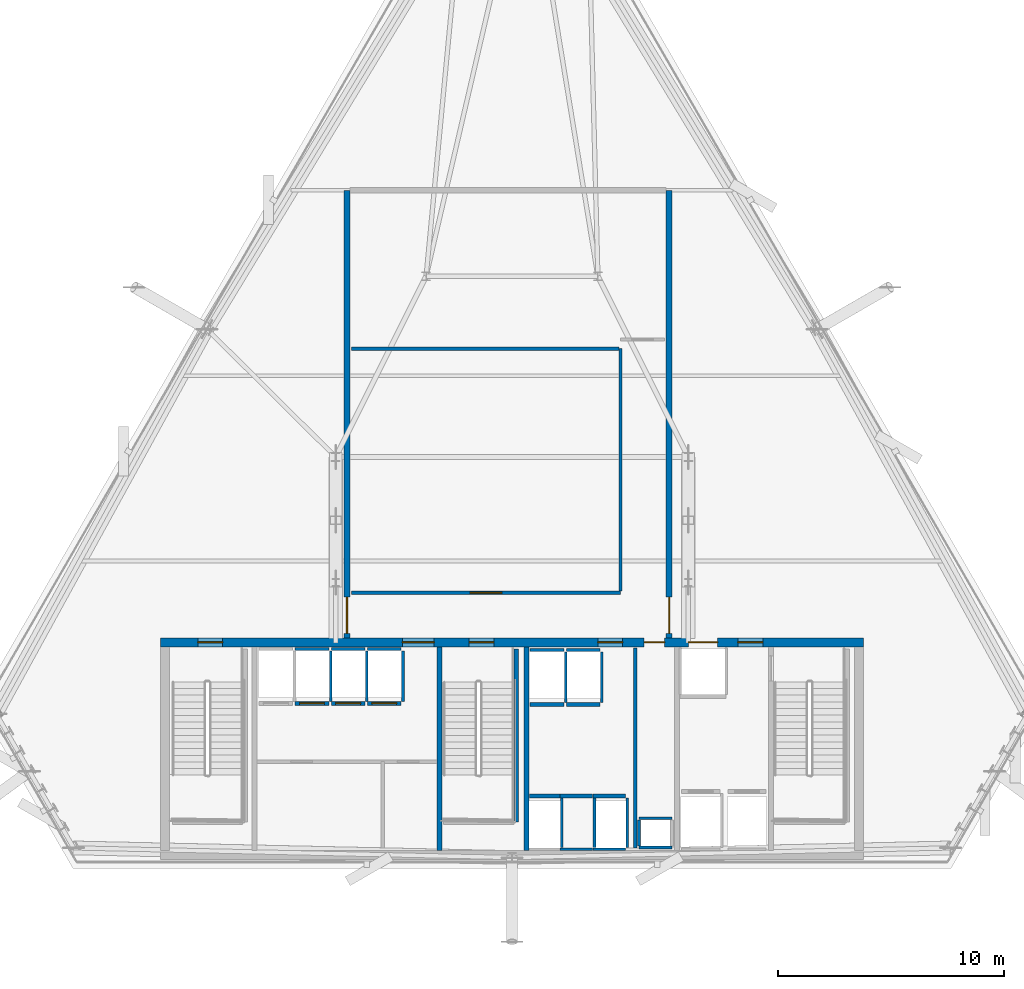
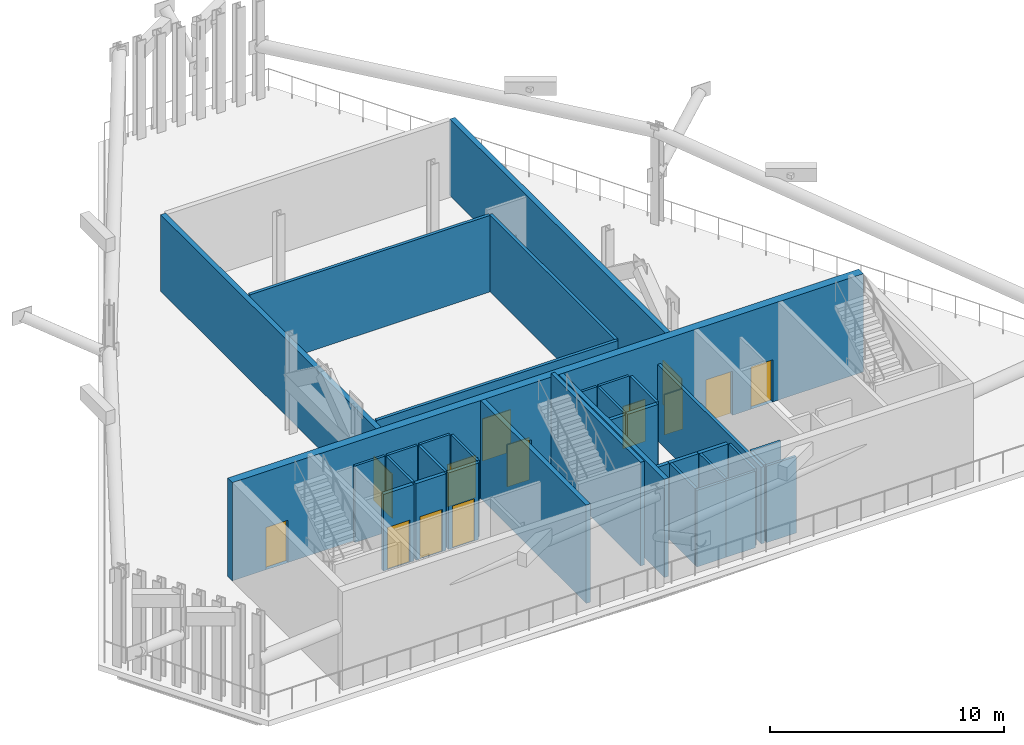
# One storey, part 4 of 11: 36 walls, 13 doors, 13 openings.
"""IFC4 building model written with IfcOpenShell, lengths in metres."""

from ifc_helpers import new_model, si_unit, direction, frame, frame_2d, origin, place, context, subcontext, project, spatial, rectangle, extrude, material, layer, layer_set, type_object, element, fill, save


model = new_model("IFC4")

# Units and contexts
model_context = context("Model", 3, precision=1e-05, world=origin(), true_north=direction((0.0, 1.0)))
body_context = subcontext(model_context, "Body", "Model", "MODEL_VIEW")
ifc_project = project(units=[si_unit("LENGTHUNIT", "METRE"), si_unit("AREAUNIT", "SQUARE_METRE"), si_unit("VOLUMEUNIT", "CUBIC_METRE"), si_unit("PLANEANGLEUNIT", "RADIAN"), si_unit("MASSUNIT", "GRAM", prefix="KILO")], contexts=[model_context])

# Site, building, storey
site_placement = place(None, origin())
site = spatial("IfcSite", under=ifc_project, at=site_placement, CompositionType="ELEMENT")
building_placement = place(site_placement, origin())
building = spatial("IfcBuilding", under=site, at=building_placement, Name="Ndaravel Arena Tower", CompositionType="ELEMENT")
storey_placement = place(building_placement, frame((0.0, 0.0, 203.0)))
storey = spatial("IfcBuildingStorey", under=building, at=storey_placement, Name="L49", CompositionType="ELEMENT", Elevation=203.0)

# Wall
ifc_material_1 = material(Name="Gypsum", Category="gypsum")
ifc_layer_1 = layer(ifc_material_1, 0.14990234375)
ifc_layer_set_1 = layer_set([ifc_layer_1], Name="Gypsum")
wall_type_1 = type_object("IfcWallType", Name="WALL-COMP-150", PredefinedType="PARTITIONING", material=ifc_layer_set_1)
wall_1_placement = place(storey_placement, frame((47.449951171875, 5.89990234375, 0.0), z_axis=(0.0, 0.0, 1.0), x_axis=(0.0, 1.0, 0.0)))
element("IfcWall", 1, at=wall_1_placement, inside=storey, type_object=wall_type_1, Name="L49 Core Riser Bay Partition", PredefinedType="PARTITIONING", context=body_context, shape_type="SweptSolid", body=[
    extrude(rectangle(XDim=8.85009765625, YDim=0.14990234375, at=frame_2d((4.425048828125, 0.0))), origin(), (0.0, 0.0, 1.0), 3.989990234375),
])

# Wall, opening, door
wall_2_placement = place(storey_placement, frame((34.89990234375, 17.199951171875, 0.0), z_axis=(0.0, 0.0, 1.0), x_axis=(1.0, 0.0, 0.0)))
wall_2 = element("IfcWall", 2, at=wall_2_placement, inside=storey, type_object=wall_type_1, Name="L49 Interior Partition 001", PredefinedType="PARTITIONING", context=body_context, shape_type="SweptSolid", body=[
    extrude(rectangle(XDim=11.900146484375, YDim=0.14990234375, at=frame_2d((5.9501953125, 0.0))), origin(), (0.0, 0.0, 1.0), 3.989990234375),
])
opening_1_placement = place(wall_2_placement, frame((5.25, 0.0, 0.0)))
opening_1 = element("IfcOpeningElement", 3, at=opening_1_placement, cuts=wall_2, Name="Opening ID-02", PredefinedType="OPENING", context=body_context, shape_type="SweptSolid", body=[
    extrude(rectangle(XDim=1.39990234375, YDim=2.199951171875, at=frame_2d((0.699951171875, 1.10009765625))), frame((0.0, 0.074951171875, 0.0), z_axis=(0.0, -1.0, 0.0), x_axis=(1.0, 0.0, 0.0)), (0.0, 0.0, 1.0), 0.14990234375),
])
ifc_material_2 = material(Name="Timber", Category="wood")
door_type_1 = type_object("IfcDoorType", Name="DT-04-SUITE-1400", OperationType="DOUBLE_DOOR_SINGLE_SWING", PredefinedType="DOOR", material=ifc_material_2)
door_1_placement = place(opening_1_placement, origin())
door_1 = element("IfcDoor", 4, at=door_1_placement, inside=storey, type_object=door_type_1, Name="L49 L49 Pressurized Fire Refuge Holding Area Door", OperationType="SINGLE_SWING_RIGHT", OverallHeight=2.199951171875, OverallWidth=1.39990234375, PredefinedType="DOOR", context=body_context, shape_type="SweptSolid", body=[
    extrude(rectangle(XDim=1.39990234375, YDim=2.199951171875, at=frame_2d((0.699951171875, 1.10009765625))), frame((0.0, 0.02490234375, 0.0), z_axis=(0.0, -1.0, 0.0), x_axis=(1.0, 0.0, 0.0)), (0.0, 0.0, 1.0), 0.050048828125),
])
fill(opening_1, door_1)

# Walls
wall_3_placement = place(storey_placement, frame((46.800048828125, 17.264892578125, 0.0), z_axis=(0.0, 0.0, 1.0), x_axis=(0.0, 1.0, 0.0)))
element("IfcWall", 5, at=wall_3_placement, inside=storey, type_object=wall_type_1, Name="L49 Interior Partition 002", PredefinedType="PARTITIONING", context=body_context, shape_type="SweptSolid", body=[
    extrude(rectangle(XDim=10.735107421875, YDim=0.14990234375, at=frame_2d((5.36767578125, 0.0))), origin(), (0.0, 0.0, 1.0), 3.989990234375),
])
wall_4_placement = place(storey_placement, frame((34.89990234375, 28.0, 0.0), z_axis=(0.0, 0.0, 1.0), x_axis=(1.0, 0.0, 0.0)))
element("IfcWall", 6, at=wall_4_placement, inside=storey, type_object=wall_type_1, Name="L49 Interior Partition 004", PredefinedType="PARTITIONING", context=body_context, shape_type="SweptSolid", body=[
    extrude(rectangle(XDim=11.835205078125, YDim=0.14990234375, at=frame_2d((5.91748046875, 0.0))), origin(), (0.0, 0.0, 1.0), 3.989990234375),
])
ifc_material_3 = material(Name="Concrete C50/60", Category="concrete")
ifc_layer_2 = layer(ifc_material_3, 0.219970703125)
ifc_layer_set_2 = layer_set([ifc_layer_2], Name="Concrete C50/60")
wall_type_2 = type_object("IfcWallType", Name="WALL-CORE-220", PredefinedType="SOLIDWALL", material=ifc_layer_set_2)
for number, where, z_axis, x_axis, name in (
    (7, (38.800048828125, 5.800048828125, 0.0), (0.0, 0.0, 1.0), (0.0, 1.0, 0.0), "L49 Core Web Shear Wall 2"),
    (8, (42.64990234375, 5.800048828125, 0.0), (0.0, 0.0, 1.0), (0.0, 1.0, 0.0), "L49 Core Web Shear Wall 3"),
):
    element("IfcWall", number, at=place(storey_placement, frame(where, z_axis=z_axis, x_axis=x_axis)), inside=storey, type_object=wall_type_2, Name=name, PredefinedType="SOLIDWALL", context=body_context, shape_type="SweptSolid", body=[
        extrude(rectangle(XDim=9.0, YDim=0.219970703125, at=frame_2d((4.5, 0.0))), origin(), (0.0, 0.0, 1.0), 5.1201171875),
    ])

# Wall, openings, doors
ifc_material_4 = material(Name="Concrete C50/60", Category="concrete")
ifc_layer_3 = layer(ifc_material_4, 0.39990234375)
ifc_layer_set_3 = layer_set([ifc_layer_3], Name="Concrete C50/60")
wall_type_3 = type_object("IfcWallType", Name="WALL-CORE-400", PredefinedType="SOLIDWALL", material=ifc_layer_set_3)
wall_5_placement = place(storey_placement, frame((26.449951171875, 15.0, 0.0), z_axis=(0.0, 0.0, 1.0), x_axis=(1.0, 0.0, 0.0)))
wall_5 = element("IfcWall", 9, at=wall_5_placement, inside=storey, type_object=wall_type_3, Name="L49 Core North Shear Wall", PredefinedType="SOLIDWALL", context=body_context, shape_type="SweptSolid", body=[
    extrude(rectangle(XDim=31.10009765625, YDim=0.39990234375, at=frame_2d((15.550048828125, 0.0))), origin(), (0.0, 0.0, 1.0), 5.1201171875),
])
opening_2_placement = place(wall_5_placement, frame((1.64990234375, 0.0, 0.0)))
opening_2 = element("IfcOpeningElement", 10, at=opening_2_placement, cuts=wall_5, Name="Opening FD-01", PredefinedType="OPENING", context=body_context, shape_type="SweptSolid", body=[
    extrude(rectangle(XDim=1.10009765625, YDim=2.199951171875, at=frame_2d((0.550048828125, 1.10009765625))), frame((0.0, 0.199951171875, 0.0), z_axis=(0.0, -1.0, 0.0), x_axis=(1.0, 0.0, 0.0)), (0.0, 0.0, 1.0), 0.39990234375),
])
opening_3_placement = place(wall_5_placement, frame((13.64990234375, 0.0, 0.0)))
opening_3 = element("IfcOpeningElement", 11, at=opening_3_placement, cuts=wall_5, Name="Opening FD-01", PredefinedType="OPENING", context=body_context, shape_type="SweptSolid", body=[
    extrude(rectangle(XDim=1.10009765625, YDim=2.199951171875, at=frame_2d((0.550048828125, 1.10009765625))), frame((0.0, 0.199951171875, 0.0), z_axis=(0.0, -1.0, 0.0), x_axis=(1.0, 0.0, 0.0)), (0.0, 0.0, 1.0), 0.39990234375),
])
opening_4_placement = place(wall_5_placement, frame((25.550048828125, 0.0, 0.0)))
opening_4 = element("IfcOpeningElement", 12, at=opening_4_placement, cuts=wall_5, Name="Opening FD-01", PredefinedType="OPENING", context=body_context, shape_type="SweptSolid", body=[
    extrude(rectangle(XDim=1.10009765625, YDim=2.199951171875, at=frame_2d((0.550048828125, 1.10009765625))), frame((0.0, 0.199951171875, 0.0), z_axis=(0.0, -1.0, 0.0), x_axis=(1.0, 0.0, 0.0)), (0.0, 0.0, 1.0), 0.39990234375),
])
opening_5_placement = place(wall_5_placement, frame((10.699951171875, 0.0, 0.0)))
opening_5 = element("IfcOpeningElement", 13, at=opening_5_placement, cuts=wall_5, Name="Opening ID-02", PredefinedType="OPENING", context=body_context, shape_type="SweptSolid", body=[
    extrude(rectangle(XDim=1.39990234375, YDim=2.199951171875, at=frame_2d((0.699951171875, 1.10009765625))), frame((0.0, 0.199951171875, 0.0), z_axis=(0.0, -1.0, 0.0), x_axis=(1.0, 0.0, 0.0)), (0.0, 0.0, 1.0), 0.39990234375),
])
opening_6_placement = place(wall_5_placement, frame((19.35009765625, 0.0, 0.0)))
opening_6 = element("IfcOpeningElement", 14, at=opening_6_placement, cuts=wall_5, Name="Opening FD-01", PredefinedType="OPENING", context=body_context, shape_type="SweptSolid", body=[
    extrude(rectangle(XDim=1.10009765625, YDim=2.199951171875, at=frame_2d((0.550048828125, 1.10009765625))), frame((0.0, 0.199951171875, 0.0), z_axis=(0.0, -1.0, 0.0), x_axis=(1.0, 0.0, 0.0)), (0.0, 0.0, 1.0), 0.39990234375),
])
opening_7_placement = place(wall_5_placement, frame((21.39990234375, 0.0, 0.0)))
opening_7 = element("IfcOpeningElement", 15, at=opening_7_placement, cuts=wall_5, Name="Opening RD-01", PredefinedType="OPENING", context=body_context, shape_type="SweptSolid", body=[
    extrude(rectangle(XDim=0.89990234375, YDim=2.10009765625, at=frame_2d((0.449951171875, 1.050048828125))), frame((0.0, 0.199951171875, 0.0), z_axis=(0.0, -1.0, 0.0), x_axis=(1.0, 0.0, 0.0)), (0.0, 0.0, 1.0), 0.39990234375),
])
opening_8_placement = place(wall_5_placement, frame((23.35009765625, 0.0, 0.0)))
opening_8 = element("IfcOpeningElement", 16, at=opening_8_placement, cuts=wall_5, Name="Opening LD-02", PredefinedType="OPENING", context=body_context, shape_type="SweptSolid", body=[
    extrude(rectangle(XDim=1.300048828125, YDim=2.300048828125, at=frame_2d((0.64990234375, 1.14990234375))), frame((0.0, 0.199951171875, 0.0), z_axis=(0.0, -1.0, 0.0), x_axis=(1.0, 0.0, 0.0)), (0.0, 0.0, 1.0), 0.39990234375),
])
ifc_material_5 = material(Name="Steel S355", Category="steel")
door_type_2 = type_object("IfcDoorType", Name="DT-01-STAIR-1100", OperationType="SINGLE_SWING_LEFT", PredefinedType="DOOR", material=ifc_material_5)
door_2_placement = place(opening_2_placement, origin())
door_2 = element("IfcDoor", 17, at=door_2_placement, inside=storey, type_object=door_type_2, Name="L49 Exit Stair ST-1 Door", OperationType="SINGLE_SWING_RIGHT", OverallHeight=2.199951171875, OverallWidth=1.10009765625, PredefinedType="DOOR", context=body_context, shape_type="SweptSolid", body=[
    extrude(rectangle(XDim=1.10009765625, YDim=2.199951171875, at=frame_2d((0.550048828125, 1.10009765625))), frame((0.0, 0.02490234375, 0.0), z_axis=(0.0, -1.0, 0.0), x_axis=(1.0, 0.0, 0.0)), (0.0, 0.0, 1.0), 0.050048828125),
])
fill(opening_2, door_2)
door_3_placement = place(opening_3_placement, origin())
door_3 = element("IfcDoor", 18, at=door_3_placement, inside=storey, type_object=door_type_2, Name="L49 Exit Stair ST-2 Door", OperationType="SINGLE_SWING_LEFT", OverallHeight=2.199951171875, OverallWidth=1.10009765625, PredefinedType="DOOR", context=body_context, shape_type="SweptSolid", body=[
    extrude(rectangle(XDim=1.10009765625, YDim=2.199951171875, at=frame_2d((0.550048828125, 1.10009765625))), frame((0.0, 0.02490234375, 0.0), z_axis=(0.0, -1.0, 0.0), x_axis=(1.0, 0.0, 0.0)), (0.0, 0.0, 1.0), 0.050048828125),
])
fill(opening_3, door_3)
door_4_placement = place(opening_4_placement, origin())
door_4 = element("IfcDoor", 19, at=door_4_placement, inside=storey, type_object=door_type_2, Name="L49 Firefighting Lift Lobby Door", OperationType="SINGLE_SWING_RIGHT", OverallHeight=2.199951171875, OverallWidth=1.10009765625, PredefinedType="DOOR", context=body_context, shape_type="SweptSolid", body=[
    extrude(rectangle(XDim=1.10009765625, YDim=2.199951171875, at=frame_2d((0.550048828125, 1.10009765625))), frame((0.0, 0.02490234375, 0.0), z_axis=(0.0, -1.0, 0.0), x_axis=(1.0, 0.0, 0.0)), (0.0, 0.0, 1.0), 0.050048828125),
])
fill(opening_4, door_4)
door_5_placement = place(opening_6_placement, origin())
door_5 = element("IfcDoor", 20, at=door_5_placement, inside=storey, type_object=door_type_2, Name="L49 Express Lift Lobby Entry Door", OperationType="SINGLE_SWING_LEFT", OverallHeight=2.199951171875, OverallWidth=1.10009765625, PredefinedType="DOOR", context=body_context, shape_type="SweptSolid", body=[
    extrude(rectangle(XDim=1.10009765625, YDim=2.199951171875, at=frame_2d((0.550048828125, 1.10009765625))), frame((0.0, 0.02490234375, 0.0), z_axis=(0.0, -1.0, 0.0), x_axis=(1.0, 0.0, 0.0)), (0.0, 0.0, 1.0), 0.050048828125),
])
fill(opening_6, door_5)
door_6_placement = place(opening_5_placement, origin())
door_6 = element("IfcDoor", 21, at=door_6_placement, inside=storey, type_object=door_type_1, Name="L49 West Lift Lobby Entry Door", OperationType="DOUBLE_DOOR_SINGLE_SWING", OverallHeight=2.199951171875, OverallWidth=1.39990234375, PredefinedType="DOOR", context=body_context, shape_type="SweptSolid", body=[
    extrude(rectangle(XDim=1.39990234375, YDim=2.199951171875, at=frame_2d((0.699951171875, 1.10009765625))), frame((0.0, 0.02490234375, 0.0), z_axis=(0.0, -1.0, 0.0), x_axis=(1.0, 0.0, 0.0)), (0.0, 0.0, 1.0), 0.050048828125),
])
fill(opening_5, door_6)
ifc_material_6 = material(Name="Steel S355", Category="steel")
door_type_3 = type_object("IfcDoorType", Name="DT-07-SVLIFT-1300", OperationType="DOUBLE_DOOR_SLIDING", PredefinedType="DOOR", material=ifc_material_6)
door_7_placement = place(opening_8_placement, origin())
door_7 = element("IfcDoor", 22, at=door_7_placement, inside=storey, type_object=door_type_3, Name="L49 Lift SVL-1 Sliding Landing Door", OperationType="DOUBLE_DOOR_SLIDING", OverallHeight=2.300048828125, OverallWidth=1.300048828125, PredefinedType="DOOR", context=body_context, shape_type="SweptSolid", body=[
    extrude(rectangle(XDim=1.300048828125, YDim=2.300048828125, at=frame_2d((0.64990234375, 1.14990234375))), frame((0.0, 0.02490234375, 0.0), z_axis=(0.0, -1.0, 0.0), x_axis=(1.0, 0.0, 0.0)), (0.0, 0.0, 1.0), 0.050048828125),
])
fill(opening_8, door_7)
ifc_material_7 = material(Name="Steel S355", Category="steel")
door_type_4 = type_object("IfcDoorType", Name="DT-08-RISER-900", OperationType="SINGLE_SWING_LEFT", PredefinedType="DOOR", material=ifc_material_7)
door_8_placement = place(opening_7_placement, origin())
door_8 = element("IfcDoor", 23, at=door_8_placement, inside=storey, type_object=door_type_4, Name="L49 Core Service Riser North Door", OperationType="SINGLE_SWING_LEFT", OverallHeight=2.10009765625, OverallWidth=0.89990234375, PredefinedType="DOOR", context=body_context, shape_type="SweptSolid", body=[
    extrude(rectangle(XDim=0.89990234375, YDim=2.10009765625, at=frame_2d((0.449951171875, 1.050048828125))), frame((0.0, 0.02490234375, 0.0), z_axis=(0.0, -1.0, 0.0), x_axis=(1.0, 0.0, 0.0)), (0.0, 0.0, 1.0), 0.050048828125),
])
fill(opening_7, door_8)

# Wall, opening, door
ifc_material_8 = material(Name="Masonry", Category="masonry")
ifc_layer_4 = layer(ifc_material_8, 0.300048828125)
ifc_layer_set_4 = layer_set([ifc_layer_4], Name="Masonry")
wall_type_4 = type_object("IfcWallType", Name="WALL-POD-MAZERAS-300", PredefinedType="SOLIDWALL", material=ifc_layer_set_4)
wall_6_placement = place(storey_placement, frame((34.699951171875, 15.199951171875, 0.0), z_axis=(0.0, 0.0, 1.0), x_axis=(0.0, 1.0, 0.0)))
wall_6 = element("IfcWall", 24, at=wall_6_placement, inside=storey, type_object=wall_type_4, Name="L49 Wind Floor West Refuge Enclosure", PredefinedType="SOLIDWALL", context=body_context, shape_type="SweptSolid", body=[
    extrude(rectangle(XDim=19.800048828125, YDim=0.25, at=frame_2d((9.89990234375, 0.0))), origin(), (0.0, 0.0, 1.0), 3.989990234375),
])
opening_9_placement = place(wall_6_placement, frame((0.199951171875, 0.0, 0.0)))
opening_9 = element("IfcOpeningElement", 25, at=opening_9_placement, cuts=wall_6, Name="Opening ED-05", PredefinedType="OPENING", context=body_context, shape_type="SweptSolid", body=[
    extrude(rectangle(XDim=1.60009765625, YDim=2.300048828125, at=frame_2d((0.800048828125, 1.14990234375))), frame((0.0, 0.125, 0.0), z_axis=(0.0, -1.0, 0.0), x_axis=(1.0, 0.0, 0.0)), (0.0, 0.0, 1.0), 0.25),
])
ifc_material_9 = material(Name="Aluminium", Category="aluminium")
door_type_5 = type_object("IfcDoorType", Name="ED-WDECK-1600", OperationType="DOUBLE_DOOR_SINGLE_SWING", PredefinedType="DOOR", material=ifc_material_9)
door_9_placement = place(opening_9_placement, origin())
door_9 = element("IfcDoor", 26, at=door_9_placement, inside=storey, type_object=door_type_5, Name="L49 West Open Wind Deck Access Door", OperationType="DOUBLE_DOOR_SINGLE_SWING", OverallHeight=2.300048828125, OverallWidth=1.60009765625, PredefinedType="DOOR", context=body_context, shape_type="SweptSolid", body=[
    extrude(rectangle(XDim=1.60009765625, YDim=2.300048828125, at=frame_2d((0.800048828125, 1.14990234375))), frame((0.0, 0.02490234375, 0.0), z_axis=(0.0, -1.0, 0.0), x_axis=(1.0, 0.0, 0.0)), (0.0, 0.0, 1.0), 0.050048828125),
])
fill(opening_9, door_9)

wall_7_placement = place(storey_placement, frame((48.949951171875, 15.199951171875, 0.0), z_axis=(0.0, 0.0, 1.0), x_axis=(0.0, 1.0, 0.0)))
wall_7 = element("IfcWall", 27, at=wall_7_placement, inside=storey, type_object=wall_type_4, Name="L49 Wind Floor East Refuge Enclosure", PredefinedType="SOLIDWALL", context=body_context, shape_type="SweptSolid", body=[
    extrude(rectangle(XDim=19.800048828125, YDim=0.25, at=frame_2d((9.89990234375, 0.0))), origin(), (0.0, 0.0, 1.0), 3.989990234375),
])
opening_10_placement = place(wall_7_placement, frame((0.199951171875, 0.0, 0.0)))
opening_10 = element("IfcOpeningElement", 28, at=opening_10_placement, cuts=wall_7, Name="Opening ED-05", PredefinedType="OPENING", context=body_context, shape_type="SweptSolid", body=[
    extrude(rectangle(XDim=1.60009765625, YDim=2.300048828125, at=frame_2d((0.800048828125, 1.14990234375))), frame((0.0, 0.125, 0.0), z_axis=(0.0, -1.0, 0.0), x_axis=(1.0, 0.0, 0.0)), (0.0, 0.0, 1.0), 0.25),
])
door_10_placement = place(opening_10_placement, origin())
door_10 = element("IfcDoor", 29, at=door_10_placement, inside=storey, type_object=door_type_5, Name="L49 East Open Wind Deck Access Door", OperationType="DOUBLE_DOOR_SINGLE_SWING", OverallHeight=2.300048828125, OverallWidth=1.60009765625, PredefinedType="DOOR", context=body_context, shape_type="SweptSolid", body=[
    extrude(rectangle(XDim=1.60009765625, YDim=2.300048828125, at=frame_2d((0.800048828125, 1.14990234375))), frame((0.0, 0.02490234375, 0.0), z_axis=(0.0, -1.0, 0.0), x_axis=(1.0, 0.0, 0.0)), (0.0, 0.0, 1.0), 0.050048828125),
])
fill(opening_10, door_10)

# Walls
ifc_material_10 = material(Name="Concrete C40/50", Category="concrete")
ifc_layer_5 = layer(ifc_material_10, 0.1201171875)
ifc_layer_set_5 = layer_set([ifc_layer_5], Name="Concrete C40/50")
wall_type_5 = type_object("IfcWallType", Name="WALL-SHAFT-120", PredefinedType="SOLIDWALL", material=ifc_layer_set_5)
for number, where, z_axis, x_axis, name in (
    (30, (47.6201171875, 5.919921875, 0.0), (0.0, 0.0, 1.0), (1.0, 0.0, 0.0), "L49 MEP Riser Shaft S Wall"),
    (31, (47.6201171875, 7.219970703125, 0.0), (0.0, 0.0, 1.0), (1.0, 0.0, 0.0), "L49 MEP Riser Shaft N Wall"),
):
    element("IfcWall", number, at=place(storey_placement, frame(where, z_axis=z_axis, x_axis=x_axis)), inside=storey, type_object=wall_type_5, Name=name, PredefinedType="SOLIDWALL", context=body_context, shape_type="SweptSolid", body=[
        extrude(rectangle(XDim=1.4599609375, YDim=0.1201171875, at=frame_2d((0.72998046875, 0.0))), origin(), (0.0, 0.0, 1.0), 3.989990234375),
    ])
wall_8_placement = place(storey_placement, frame((47.6201171875, 6.0, 0.0), z_axis=(0.0, 0.0, 1.0), x_axis=(0.0, 1.0, 0.0)))
element("IfcWall", 32, at=wall_8_placement, inside=storey, type_object=wall_type_5, Name="L49 MEP Riser Shaft W Wall", PredefinedType="SOLIDWALL", context=body_context, shape_type="SweptSolid", body=[
    extrude(rectangle(XDim=1.139892578125, YDim=0.1201171875, at=frame_2d((0.56982421875, 0.0))), origin(), (0.0, 0.0, 1.0), 3.989990234375),
])
wall_9_placement = place(storey_placement, frame((32.405029296875, 14.7099609375, 0.0), z_axis=(0.0, 0.0, 1.0), x_axis=(1.0, 0.0, 0.0)))
element("IfcWall", 33, at=wall_9_placement, inside=storey, type_object=wall_type_5, Name="L49 PL-M2 Shaft Rear Wall", PredefinedType="SOLIDWALL", context=body_context, shape_type="SweptSolid", body=[
    extrude(rectangle(XDim=1.489990234375, YDim=0.1201171875, at=frame_2d((0.7451171875, 0.0))), origin(), (0.0, 0.0, 1.0), 3.989990234375),
])
wall_10_placement = place(storey_placement, frame((33.97509765625, 12.389892578125, 0.0), z_axis=(0.0, 0.0, 1.0), x_axis=(0.0, 1.0, 0.0)))
element("IfcWall", 34, at=wall_10_placement, inside=storey, type_object=wall_type_5, Name="L49 PL-M2 Shaft Side R Wall", PredefinedType="SOLIDWALL", context=body_context, shape_type="SweptSolid", body=[
    extrude(rectangle(XDim=2.230224609375, YDim=0.1201171875, at=frame_2d((1.115234375, 0.0))), origin(), (0.0, 0.0, 1.0), 3.989990234375),
])
wall_11_placement = place(storey_placement, frame((34.0048828125, 14.7099609375, 0.0), z_axis=(0.0, 0.0, 1.0), x_axis=(1.0, 0.0, 0.0)))
element("IfcWall", 35, at=wall_11_placement, inside=storey, type_object=wall_type_5, Name="L49 PL-M3 Shaft Rear Wall", PredefinedType="SOLIDWALL", context=body_context, shape_type="SweptSolid", body=[
    extrude(rectangle(XDim=1.490234375, YDim=0.1201171875, at=frame_2d((0.7451171875, 0.0))), origin(), (0.0, 0.0, 1.0), 3.989990234375),
])
wall_12_placement = place(storey_placement, frame((35.574951171875, 12.389892578125, 0.0), z_axis=(0.0, 0.0, 1.0), x_axis=(0.0, 1.0, 0.0)))
element("IfcWall", 36, at=wall_12_placement, inside=storey, type_object=wall_type_5, Name="L49 PL-M3 Shaft Side R Wall", PredefinedType="SOLIDWALL", context=body_context, shape_type="SweptSolid", body=[
    extrude(rectangle(XDim=2.230224609375, YDim=0.1201171875, at=frame_2d((1.115234375, 0.0))), origin(), (0.0, 0.0, 1.0), 3.989990234375),
])
wall_13_placement = place(storey_placement, frame((35.60498046875, 14.7099609375, 0.0), z_axis=(0.0, 0.0, 1.0), x_axis=(1.0, 0.0, 0.0)))
element("IfcWall", 37, at=wall_13_placement, inside=storey, type_object=wall_type_5, Name="L49 PL-M4 Shaft Rear Wall", PredefinedType="SOLIDWALL", context=body_context, shape_type="SweptSolid", body=[
    extrude(rectangle(XDim=1.489990234375, YDim=0.1201171875, at=frame_2d((0.7451171875, 0.0))), origin(), (0.0, 0.0, 1.0), 3.989990234375),
])
wall_14_placement = place(storey_placement, frame((37.175048828125, 12.389892578125, 0.0), z_axis=(0.0, 0.0, 1.0), x_axis=(0.0, 1.0, 0.0)))
element("IfcWall", 38, at=wall_14_placement, inside=storey, type_object=wall_type_5, Name="L49 PL-M4 Shaft Side R Wall", PredefinedType="SOLIDWALL", context=body_context, shape_type="SweptSolid", body=[
    extrude(rectangle(XDim=2.230224609375, YDim=0.1201171875, at=frame_2d((1.115234375, 0.0))), origin(), (0.0, 0.0, 1.0), 3.989990234375),
])
wall_15_placement = place(storey_placement, frame((44.199951171875, 5.929931640625, 0.0), z_axis=(0.0, 0.0, 1.0), x_axis=(0.0, 1.0, 0.0)))
element("IfcWall", 39, at=wall_15_placement, inside=storey, type_object=wall_type_5, Name="L49 PL-H1 Shaft Side R Wall", PredefinedType="SOLIDWALL", context=body_context, shape_type="SweptSolid", body=[
    extrude(rectangle(XDim=2.18017578125, YDim=0.1201171875, at=frame_2d((1.090087890625, 0.0))), origin(), (0.0, 0.0, 1.0), 3.989990234375),
])
wall_16_placement = place(storey_placement, frame((44.1298828125, 5.840087890625, 0.0), z_axis=(0.0, 0.0, 1.0), x_axis=(1.0, 0.0, 0.0)))
element("IfcWall", 40, at=wall_16_placement, inside=storey, type_object=wall_type_5, Name="L49 PL-H2 Shaft Rear Wall", PredefinedType="SOLIDWALL", context=body_context, shape_type="SweptSolid", body=[
    extrude(rectangle(XDim=1.440185546875, YDim=0.1201171875, at=frame_2d((0.72021484375, 0.0))), origin(), (0.0, 0.0, 1.0), 3.989990234375),
])
wall_17_placement = place(storey_placement, frame((45.64990234375, 5.929931640625, 0.0), z_axis=(0.0, 0.0, 1.0), x_axis=(0.0, 1.0, 0.0)))
element("IfcWall", 41, at=wall_17_placement, inside=storey, type_object=wall_type_5, Name="L49 PL-H2 Shaft Side R Wall", PredefinedType="SOLIDWALL", context=body_context, shape_type="SweptSolid", body=[
    extrude(rectangle(XDim=2.18017578125, YDim=0.1201171875, at=frame_2d((1.090087890625, 0.0))), origin(), (0.0, 0.0, 1.0), 3.989990234375),
])
wall_18_placement = place(storey_placement, frame((45.580078125, 5.840087890625, 0.0), z_axis=(0.0, 0.0, 1.0), x_axis=(1.0, 0.0, 0.0)))
element("IfcWall", 42, at=wall_18_placement, inside=storey, type_object=wall_type_5, Name="L49 PL-H3 Shaft Rear Wall", PredefinedType="SOLIDWALL", context=body_context, shape_type="SweptSolid", body=[
    extrude(rectangle(XDim=1.43994140625, YDim=0.1201171875, at=frame_2d((0.719970703125, 0.0))), origin(), (0.0, 0.0, 1.0), 3.989990234375),
])
wall_19_placement = place(storey_placement, frame((47.10009765625, 5.929931640625, 0.0), z_axis=(0.0, 0.0, 1.0), x_axis=(0.0, 1.0, 0.0)))
element("IfcWall", 43, at=wall_19_placement, inside=storey, type_object=wall_type_5, Name="L49 PL-H3 Shaft Side R Wall", PredefinedType="SOLIDWALL", context=body_context, shape_type="SweptSolid", body=[
    extrude(rectangle(XDim=2.18017578125, YDim=0.1201171875, at=frame_2d((1.090087890625, 0.0))), origin(), (0.0, 0.0, 1.0), 3.989990234375),
])
wall_20_placement = place(storey_placement, frame((42.804931640625, 14.659912109375, 0.0), z_axis=(0.0, 0.0, 1.0), x_axis=(1.0, 0.0, 0.0)))
element("IfcWall", 44, at=wall_20_placement, inside=storey, type_object=wall_type_5, Name="L49 PL-OBS1 Shaft Rear Wall", PredefinedType="SOLIDWALL", context=body_context, shape_type="SweptSolid", body=[
    extrude(rectangle(XDim=1.489990234375, YDim=0.1201171875, at=frame_2d((0.7451171875, 0.0))), origin(), (0.0, 0.0, 1.0), 3.989990234375),
])
wall_21_placement = place(storey_placement, frame((44.375, 12.340087890625, 0.0), z_axis=(0.0, 0.0, 1.0), x_axis=(0.0, 1.0, 0.0)))
element("IfcWall", 45, at=wall_21_placement, inside=storey, type_object=wall_type_5, Name="L49 PL-OBS1 Shaft Side R Wall", PredefinedType="SOLIDWALL", context=body_context, shape_type="SweptSolid", body=[
    extrude(rectangle(XDim=2.22998046875, YDim=0.1201171875, at=frame_2d((1.114990234375, 0.0))), origin(), (0.0, 0.0, 1.0), 3.989990234375),
])
wall_22_placement = place(storey_placement, frame((44.405029296875, 14.659912109375, 0.0), z_axis=(0.0, 0.0, 1.0), x_axis=(1.0, 0.0, 0.0)))
element("IfcWall", 46, at=wall_22_placement, inside=storey, type_object=wall_type_5, Name="L49 PL-OBS2 Shaft Rear Wall", PredefinedType="SOLIDWALL", context=body_context, shape_type="SweptSolid", body=[
    extrude(rectangle(XDim=1.489990234375, YDim=0.1201171875, at=frame_2d((0.7451171875, 0.0))), origin(), (0.0, 0.0, 1.0), 3.989990234375),
])
wall_23_placement = place(storey_placement, frame((45.97509765625, 12.340087890625, 0.0), z_axis=(0.0, 0.0, 1.0), x_axis=(0.0, 1.0, 0.0)))
element("IfcWall", 47, at=wall_23_placement, inside=storey, type_object=wall_type_5, Name="L49 PL-OBS2 Shaft Side R Wall", PredefinedType="SOLIDWALL", context=body_context, shape_type="SweptSolid", body=[
    extrude(rectangle(XDim=2.22998046875, YDim=0.1201171875, at=frame_2d((1.114990234375, 0.0))), origin(), (0.0, 0.0, 1.0), 3.989990234375),
])
ifc_material_11 = material(Name="Concrete C40/50", Category="concrete")
ifc_layer_6 = layer(ifc_material_11, 0.199951171875)
ifc_layer_set_6 = layer_set([ifc_layer_6], Name="Concrete C40/50")
wall_type_6 = type_object("IfcWallType", Name="WALL-SHAFT-200", PredefinedType="SOLIDWALL", material=ifc_layer_set_6)
wall_24_placement = place(storey_placement, frame((42.18994140625, 14.699951171875, 0.0), z_axis=(0.0, 0.0, 1.0), x_axis=(0.0, -1.0, 0.0)))
element("IfcWall", 48, at=wall_24_placement, inside=storey, type_object=wall_type_6, Name="L49 ST-2 Structural Shaft Wall Right", PredefinedType="SOLIDWALL", context=body_context, shape_type="SweptSolid", body=[
    extrude(rectangle(XDim=7.64990234375, YDim=0.199951171875, at=frame_2d((3.824951171875, 0.0))), origin(), (0.0, 0.0, 1.0), 5.39990234375),
])

# Wall, opening, door
wall_25_placement = place(storey_placement, frame((32.405029296875, 12.300048828125, 0.0), z_axis=(0.0, 0.0, 1.0), x_axis=(1.0, 0.0, 0.0)))
wall_25 = element("IfcWall", 49, at=wall_25_placement, inside=storey, type_object=wall_type_6, Name="L49 PL-M2 Shaft Landing Wall", PredefinedType="SOLIDWALL", context=body_context, shape_type="SweptSolid", body=[
    extrude(rectangle(XDim=1.489990234375, YDim=0.179931640625, at=frame_2d((0.7451171875, 0.0))), origin(), (0.0, 0.0, 1.0), 3.989990234375),
])
opening_11_placement = place(wall_25_placement, frame((0.195068359375, 0.0, 0.0)))
opening_11 = element("IfcOpeningElement", 50, at=opening_11_placement, cuts=wall_25, Name="Opening LD-01", PredefinedType="OPENING", context=body_context, shape_type="SweptSolid", body=[
    extrude(rectangle(XDim=1.10009765625, YDim=2.199951171875, at=frame_2d((0.550048828125, 1.10009765625))), frame((0.0, 0.08984375, 0.0), z_axis=(0.0, -1.0, 0.0), x_axis=(1.0, 0.0, 0.0)), (0.0, 0.0, 1.0), 0.179931640625),
])
ifc_material_12 = material(Name="Steel S355", Category="steel")
door_type_6 = type_object("IfcDoorType", Name="DT-06-LIFT-1100", OperationType="SLIDING_TO_LEFT", PredefinedType="DOOR", material=ifc_material_12)
door_11_placement = place(opening_11_placement, origin())
door_11 = element("IfcDoor", 51, at=door_11_placement, inside=storey, type_object=door_type_6, Name="L49 Lift PL-M2 Sliding Landing Door", OperationType="SLIDING_TO_LEFT", OverallHeight=2.199951171875, OverallWidth=1.10009765625, PredefinedType="DOOR", context=body_context, shape_type="SweptSolid", body=[
    extrude(rectangle(XDim=1.10009765625, YDim=2.199951171875, at=frame_2d((0.550048828125, 1.10009765625))), frame((0.0, 0.02490234375, 0.0), z_axis=(0.0, -1.0, 0.0), x_axis=(1.0, 0.0, 0.0)), (0.0, 0.0, 1.0), 0.050048828125),
])
fill(opening_11, door_11)

wall_26_placement = place(storey_placement, frame((34.0048828125, 12.300048828125, 0.0), z_axis=(0.0, 0.0, 1.0), x_axis=(1.0, 0.0, 0.0)))
wall_26 = element("IfcWall", 52, at=wall_26_placement, inside=storey, type_object=wall_type_6, Name="L49 PL-M3 Shaft Landing Wall", PredefinedType="SOLIDWALL", context=body_context, shape_type="SweptSolid", body=[
    extrude(rectangle(XDim=1.490234375, YDim=0.179931640625, at=frame_2d((0.7451171875, 0.0))), origin(), (0.0, 0.0, 1.0), 3.989990234375),
])
opening_12_placement = place(wall_26_placement, frame((0.195068359375, 0.0, 0.0)))
opening_12 = element("IfcOpeningElement", 53, at=opening_12_placement, cuts=wall_26, Name="Opening LD-01", PredefinedType="OPENING", context=body_context, shape_type="SweptSolid", body=[
    extrude(rectangle(XDim=1.10009765625, YDim=2.199951171875, at=frame_2d((0.550048828125, 1.10009765625))), frame((0.0, 0.08984375, 0.0), z_axis=(0.0, -1.0, 0.0), x_axis=(1.0, 0.0, 0.0)), (0.0, 0.0, 1.0), 0.179931640625),
])
door_12_placement = place(opening_12_placement, origin())
door_12 = element("IfcDoor", 54, at=door_12_placement, inside=storey, type_object=door_type_6, Name="L49 Lift PL-M3 Sliding Landing Door", OperationType="SLIDING_TO_LEFT", OverallHeight=2.199951171875, OverallWidth=1.10009765625, PredefinedType="DOOR", context=body_context, shape_type="SweptSolid", body=[
    extrude(rectangle(XDim=1.10009765625, YDim=2.199951171875, at=frame_2d((0.550048828125, 1.10009765625))), frame((0.0, 0.02490234375, 0.0), z_axis=(0.0, -1.0, 0.0), x_axis=(1.0, 0.0, 0.0)), (0.0, 0.0, 1.0), 0.050048828125),
])
fill(opening_12, door_12)

wall_27_placement = place(storey_placement, frame((35.60498046875, 12.300048828125, 0.0), z_axis=(0.0, 0.0, 1.0), x_axis=(1.0, 0.0, 0.0)))
wall_27 = element("IfcWall", 55, at=wall_27_placement, inside=storey, type_object=wall_type_6, Name="L49 PL-M4 Shaft Landing Wall", PredefinedType="SOLIDWALL", context=body_context, shape_type="SweptSolid", body=[
    extrude(rectangle(XDim=1.489990234375, YDim=0.179931640625, at=frame_2d((0.7451171875, 0.0))), origin(), (0.0, 0.0, 1.0), 3.989990234375),
])
opening_13_placement = place(wall_27_placement, frame((0.195068359375, 0.0, 0.0)))
opening_13 = element("IfcOpeningElement", 56, at=opening_13_placement, cuts=wall_27, Name="Opening LD-01", PredefinedType="OPENING", context=body_context, shape_type="SweptSolid", body=[
    extrude(rectangle(XDim=1.10009765625, YDim=2.199951171875, at=frame_2d((0.550048828125, 1.10009765625))), frame((0.0, 0.08984375, 0.0), z_axis=(0.0, -1.0, 0.0), x_axis=(1.0, 0.0, 0.0)), (0.0, 0.0, 1.0), 0.179931640625),
])
door_13_placement = place(opening_13_placement, origin())
door_13 = element("IfcDoor", 57, at=door_13_placement, inside=storey, type_object=door_type_6, Name="L49 Lift PL-M4 Sliding Landing Door", OperationType="SLIDING_TO_LEFT", OverallHeight=2.199951171875, OverallWidth=1.10009765625, PredefinedType="DOOR", context=body_context, shape_type="SweptSolid", body=[
    extrude(rectangle(XDim=1.10009765625, YDim=2.199951171875, at=frame_2d((0.550048828125, 1.10009765625))), frame((0.0, 0.02490234375, 0.0), z_axis=(0.0, -1.0, 0.0), x_axis=(1.0, 0.0, 0.0)), (0.0, 0.0, 1.0), 0.050048828125),
])
fill(opening_13, door_13)

# Walls
wall_28_placement = place(storey_placement, frame((42.780029296875, 8.199951171875, 0.0), z_axis=(0.0, 0.0, 1.0), x_axis=(1.0, 0.0, 0.0)))
element("IfcWall", 58, at=wall_28_placement, inside=storey, type_object=wall_type_6, Name="L49 PL-H1 Shaft Landing Wall", PredefinedType="SOLIDWALL", context=body_context, shape_type="SweptSolid", body=[
    extrude(rectangle(XDim=1.340087890625, YDim=0.179931640625, at=frame_2d((0.669921875, 0.0))), origin(), (0.0, 0.0, 1.0), 3.989990234375),
])
wall_29_placement = place(storey_placement, frame((44.1298828125, 8.199951171875, 0.0), z_axis=(0.0, 0.0, 1.0), x_axis=(1.0, 0.0, 0.0)))
element("IfcWall", 59, at=wall_29_placement, inside=storey, type_object=wall_type_6, Name="L49 PL-H2 Shaft Landing Wall", PredefinedType="SOLIDWALL", context=body_context, shape_type="SweptSolid", body=[
    extrude(rectangle(XDim=1.440185546875, YDim=0.179931640625, at=frame_2d((0.72021484375, 0.0))), origin(), (0.0, 0.0, 1.0), 3.989990234375),
])
wall_30_placement = place(storey_placement, frame((45.580078125, 8.199951171875, 0.0), z_axis=(0.0, 0.0, 1.0), x_axis=(1.0, 0.0, 0.0)))
element("IfcWall", 60, at=wall_30_placement, inside=storey, type_object=wall_type_6, Name="L49 PL-H3 Shaft Landing Wall", PredefinedType="SOLIDWALL", context=body_context, shape_type="SweptSolid", body=[
    extrude(rectangle(XDim=1.43994140625, YDim=0.179931640625, at=frame_2d((0.719970703125, 0.0))), origin(), (0.0, 0.0, 1.0), 3.989990234375),
])
for number, where, z_axis, x_axis, name in (
    (61, (42.804931640625, 12.25, 0.0), (0.0, 0.0, 1.0), (1.0, 0.0, 0.0), "L49 PL-OBS1 Shaft Landing Wall"),
    (62, (44.405029296875, 12.25, 0.0), (0.0, 0.0, 1.0), (1.0, 0.0, 0.0), "L49 PL-OBS2 Shaft Landing Wall"),
):
    element("IfcWall", number, at=place(storey_placement, frame(where, z_axis=z_axis, x_axis=x_axis)), inside=storey, type_object=wall_type_6, Name=name, PredefinedType="SOLIDWALL", context=body_context, shape_type="SweptSolid", body=[
        extrude(rectangle(XDim=1.489990234375, YDim=0.179931640625, at=frame_2d((0.7451171875, 0.0))), origin(), (0.0, 0.0, 1.0), 3.989990234375),
    ])

save(model, "model.ifc")
